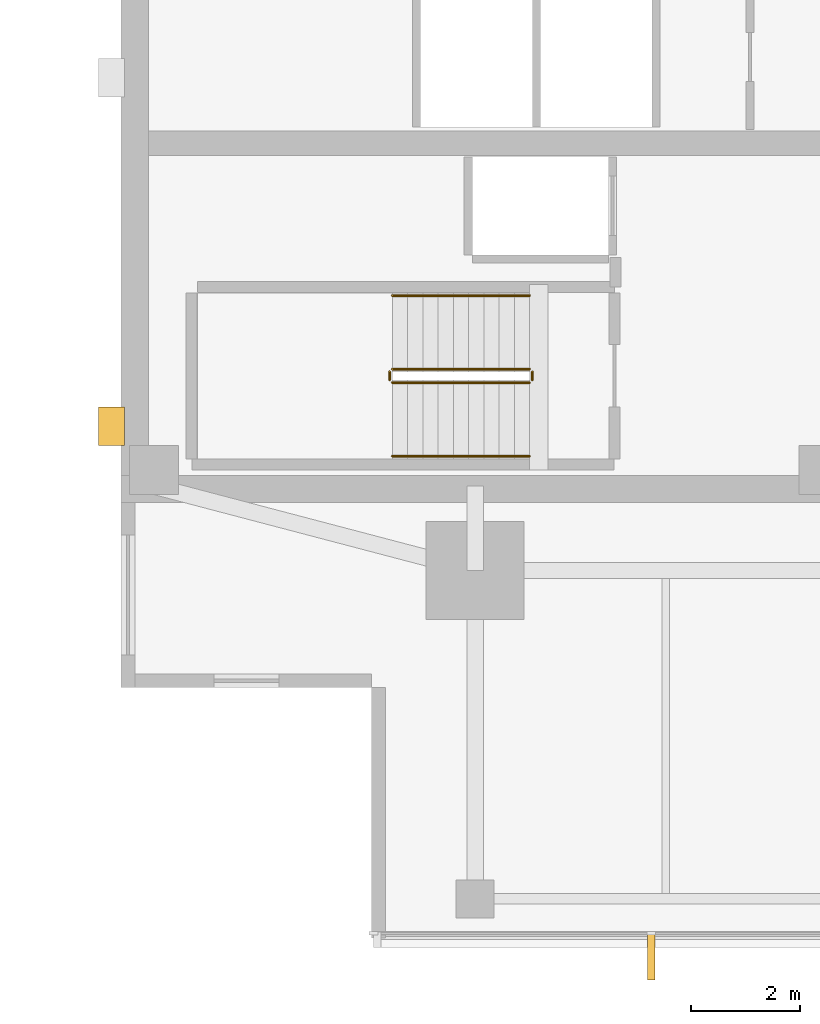
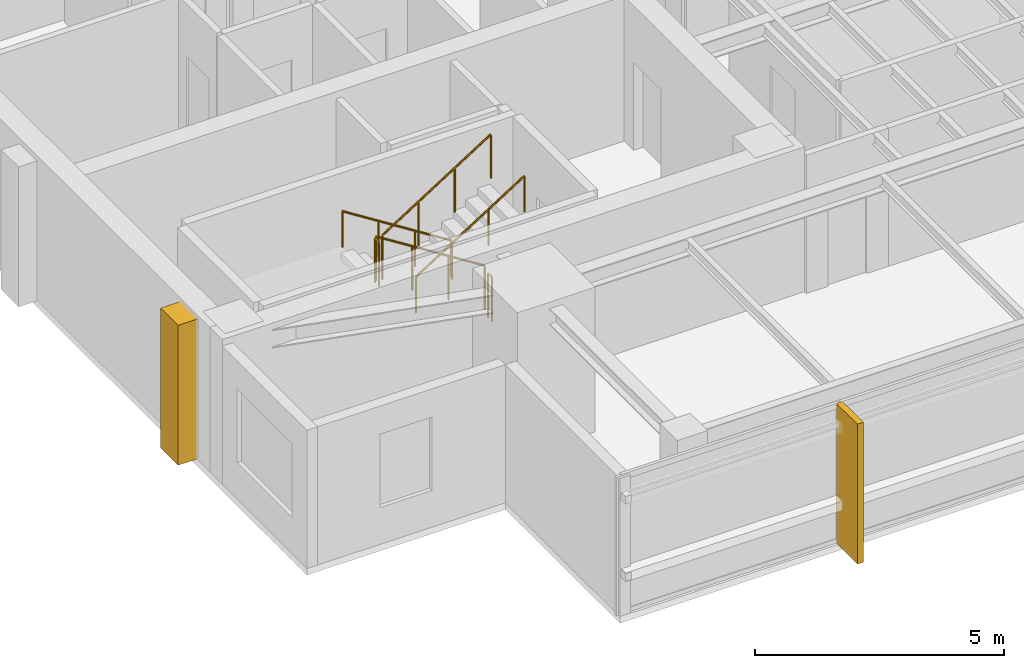
# One storey, part 11 of 14: 6 railings, 2 coverings.
"""IFC4 building model written with IfcOpenShell, lengths in metres."""

import ifcopenshell
import ifcopenshell.guid

model = None  # the IFC model being written
_history = None  # IfcOwnerHistory: only IFC2X3 demands one
_inside = {}  # id of a spatial element -> (the spatial element, [elements in it])
_under = {}  # id of a project, library or spatial element -> (it, [spatial elements below it])
_declared = {}  # id of a project -> (the project, [libraries it declares])
_typed = {}  # id of a type object -> (the type object, [elements of that type])
_made_of = {}  # id of a material, layer set ... -> (it, [elements and type objects made of it])


def new_model(schema):
    """Start an empty IFC model of exactly this schema.

    Asked for "IFC4X3", IfcOpenShell would pick the latest addendum, in which some entities
    have other attributes; the version numbers below select the first issue.
    IFC2X3 requires an IfcOwnerHistory on every rooted entity: one is made here for all.
    """
    global model, _history
    if schema == "IFC4X3":
        model = ifcopenshell.file(schema_version=(4, 3, 0, 0))
    else:
        model = ifcopenshell.file(schema=schema)
    _inside.clear()
    _under.clear()
    _declared.clear()
    _typed.clear()
    _made_of.clear()
    _history = None
    if model.schema == "IFC2X3":
        org = make("IfcOrganization", Name="unknown")
        user = make(
            "IfcPersonAndOrganization",
            ThePerson=make("IfcPerson", FamilyName="unknown"),
            TheOrganization=org,
        )
        app = make(
            "IfcApplication",
            ApplicationDeveloper=org,
            Version="unknown",
            ApplicationFullName="unknown",
            ApplicationIdentifier="unknown",
        )
        _history = make(
            "IfcOwnerHistory",
            OwningUser=user,
            OwningApplication=app,
            ChangeAction="ADDED",
            CreationDate=0,
        )
    return model


def make(cls, **values):
    """One entity of the class cls with the attributes given. An attribute that is None is left unset."""
    return model.create_entity(
        cls, **{name: value for name, value in values.items() if value is not None}
    )


def rooted(cls, **values):
    """An entity with a GlobalId (a new one), such as an element, a storey or a relation."""
    return make(cls, GlobalId=ifcopenshell.guid.new(), OwnerHistory=_history, **values)


def si_unit(unit_type, name, prefix=None):
    """IfcSIUnit, for example si_unit("LENGTHUNIT", "METRE", prefix="MILLI")."""
    return make("IfcSIUnit", UnitType=unit_type, Prefix=prefix, Name=name)


def assignment(units):
    """IfcUnitAssignment: the units of a project."""
    return None if units is None else make("IfcUnitAssignment", Units=units)


def point(xyz):
    """IfcCartesianPoint."""
    return None if xyz is None else make("IfcCartesianPoint", Coordinates=xyz)


def direction(xyz):
    """IfcDirection."""
    return None if xyz is None else make("IfcDirection", DirectionRatios=xyz)


def frame(location, z_axis=None, x_axis=None):
    """IfcAxis2Placement3D, a coordinate frame: its origin and axes. An axis left out is left unset."""
    return make(
        "IfcAxis2Placement3D",
        Location=point(location),
        Axis=direction(z_axis),
        RefDirection=direction(x_axis),
    )


def frame_2d(location, x_axis=None):
    """IfcAxis2Placement2D, a coordinate frame in the plane: its origin and x axis."""
    return make(
        "IfcAxis2Placement2D", Location=point(location), RefDirection=direction(x_axis)
    )


def origin():
    """The frame at (0, 0, 0) with its axes left unset."""
    return frame((0.0, 0.0, 0.0))


def origin_2d():
    """The frame at (0, 0) in the plane with its x axis left unset."""
    return frame_2d((0.0, 0.0))


def place(relative_to, where):
    """IfcLocalPlacement: puts the frame where relative to a parent placement (None: the world)."""
    return make(
        "IfcLocalPlacement", PlacementRelTo=relative_to, RelativePlacement=where
    )


def context(
    kind, dimensions, precision=None, world=None, true_north=None, identifier=None
):
    """IfcGeometricRepresentationContext, for example the 3D "Model" context."""
    return make(
        "IfcGeometricRepresentationContext",
        ContextIdentifier=identifier,
        ContextType=kind,
        CoordinateSpaceDimension=dimensions,
        Precision=precision,
        WorldCoordinateSystem=world,
        TrueNorth=true_north,
    )


def subcontext(parent, identifier, kind, view, scale=None):
    """IfcGeometricRepresentationSubContext, for example "Body" below "Model"."""
    return make(
        "IfcGeometricRepresentationSubContext",
        ContextIdentifier=identifier,
        ContextType=kind,
        ParentContext=parent,
        TargetScale=scale,
        TargetView=view,
    )


def project(units=None, contexts=None):
    """IfcProject with its units and contexts."""
    return rooted(
        "IfcProject",
        Name="project",
        RepresentationContexts=contexts,
        UnitsInContext=assignment(units),
    )


def spatial(cls, under=None, at=None, **own):
    """A site, building, storey or space (cls), placed at a placement, below another one or the project."""
    s = rooted(cls, ObjectPlacement=at, **own)
    if under is not None:
        _under.setdefault(under.id(), (under, []))[1].append(s)
    return s


def polyline(points):
    """IfcPolyline through the points."""
    return make("IfcPolyline", Points=[point(p) for p in points])


def profile(cls, at=None, kind="AREA", **sizes):
    """A parametric profile (cls). Its sizes go by their IFC names, for example OverallWidth=200.0."""
    return make(cls, ProfileType=kind, Position=at, **sizes)


def circle(**sizes):
    """IfcCircleProfileDef."""
    return profile("IfcCircleProfileDef", **sizes)


def outline(outer, holes=None, kind="AREA"):
    """IfcArbitraryClosedProfileDef: a profile drawn as a closed curve; with holes, ...WithVoids."""
    if holes is None:
        return make("IfcArbitraryClosedProfileDef", ProfileType=kind, OuterCurve=outer)
    return make(
        "IfcArbitraryProfileDefWithVoids",
        ProfileType=kind,
        OuterCurve=outer,
        InnerCurves=holes,
    )


def extrude(swept, where, along, depth):
    """IfcExtrudedAreaSolid: the profile swept, set in the frame where, extruded along a direction by depth."""
    return make(
        "IfcExtrudedAreaSolid",
        SweptArea=swept,
        Position=where,
        ExtrudedDirection=direction(along),
        Depth=depth,
    )


def shape(context_of_items, identifier, shape_type, items):
    """IfcShapeRepresentation: the items that make up one representation, for example the "Body"."""
    return make(
        "IfcShapeRepresentation",
        ContextOfItems=context_of_items,
        RepresentationIdentifier=identifier,
        RepresentationType=shape_type,
        Items=items,
    )


def material(Name=None, Category=None):
    """IfcMaterial."""
    return make("IfcMaterial", Name=Name, Category=Category)


def layer(
    of_material, thickness, ventilated=None, Name=None, Category=None, Priority=None
):
    """IfcMaterialLayer: one layer of a wall or slab, of a material (None: an air gap)."""
    return make(
        "IfcMaterialLayer",
        Material=of_material,
        LayerThickness=thickness,
        IsVentilated=ventilated,
        Name=Name,
        Category=Category,
        Priority=Priority,
    )


def layer_set(layers, Name=None):
    """IfcMaterialLayerSet."""
    return make("IfcMaterialLayerSet", MaterialLayers=layers, LayerSetName=Name)


def made_of(thing, what):
    """Note that an element or type object is made of a material, layer set ...; save() writes the relation."""
    if what is not None:
        _made_of.setdefault(what.id(), (what, []))[1].append(thing)
    return thing


def type_object(cls, material=None, **own):
    """A type object (cls), such as IfcWallType, which elements share."""
    return made_of(rooted(cls, **own), material)


def element(
    cls,
    number,
    at=None,
    inside=None,
    cuts=None,
    type_object=None,
    material=None,
    context=None,
    identifier="Body",
    shape_type=None,
    held_by="IfcProductDefinitionShape",
    body=None,
    shapes=None,
    **own,
):
    """One element of the class cls, such as IfcWall. Its Tag is "e" and its number.

    at: its placement. inside: the storey or other place that contains it. cuts: it is an
    opening in that element (IfcRelVoidsElement). A single representation is given by context,
    identifier, shape_type and body (its items); several are given by shapes. held_by: the class
    of the entity that holds the representations. save() writes the other relations.
    """
    e = rooted(cls, Tag="e%d" % number, ObjectPlacement=at, **own)
    if body is not None:
        shapes = [shape(context, identifier, shape_type, body)]
    if shapes is not None:
        e.Representation = make(held_by, Representations=shapes)
    if inside is not None:
        _inside.setdefault(inside.id(), (inside, []))[1].append(e)
    if cuts is not None:
        rooted(
            "IfcRelVoidsElement", RelatingBuildingElement=cuts, RelatedOpeningElement=e
        )
    if type_object is not None:
        _typed.setdefault(type_object.id(), (type_object, []))[1].append(e)
    return made_of(e, material)


def aggregate(whole, parts):
    """IfcRelAggregates: a whole, such as a stair, and the parts it consists of."""
    return rooted("IfcRelAggregates", RelatingObject=whole, RelatedObjects=parts)


def save(model, path):
    """Write the relations noted so far, then the file.

    IfcRelAggregates (storeys below a building ...), IfcRelContainedInSpatialStructure (elements
    in a storey), IfcRelDefinesByType, IfcRelAssociatesMaterial and IfcRelDeclares: one each for
    every whole, place, type object, material and project.
    """
    for whole, parts in _under.values():
        aggregate(whole, parts)
    for where, things in _inside.values():
        rooted(
            "IfcRelContainedInSpatialStructure",
            RelatedElements=things,
            RelatingStructure=where,
        )
    for kind, things in _typed.values():
        rooted("IfcRelDefinesByType", RelatedObjects=things, RelatingType=kind)
    for what, things in _made_of.values():
        rooted("IfcRelAssociatesMaterial", RelatedObjects=things, RelatingMaterial=what)
    for by, libraries in _declared.values():
        rooted("IfcRelDeclares", RelatingContext=by, RelatedDefinitions=libraries)
    model.write(path)


model = new_model("IFC4")

# Units and contexts
model_context = context("Model", 3, precision=1e-05, world=origin(), true_north=direction((0.0, 1.0)))
body_context = subcontext(model_context, "Body", "Model", "MODEL_VIEW")
ifc_project = project(units=[si_unit("LENGTHUNIT", "METRE"), si_unit("AREAUNIT", "SQUARE_METRE"), si_unit("VOLUMEUNIT", "CUBIC_METRE"), si_unit("PLANEANGLEUNIT", "RADIAN"), si_unit("MASSUNIT", "GRAM", prefix="KILO")], contexts=[model_context])

# Site, building, storey
site_placement = place(None, origin())
site = spatial("IfcSite", under=ifc_project, at=site_placement, CompositionType="ELEMENT")
building_placement = place(site_placement, origin())
building = spatial("IfcBuilding", under=site, at=building_placement, Name="Kinhvarn Gate Tower", CompositionType="ELEMENT")
storey_placement = place(building_placement, frame((0.0, 0.0, 274.10009765625)))
storey = spatial("IfcBuildingStorey", under=building, at=storey_placement, Name="L73", CompositionType="ELEMENT", Elevation=274.10009765625)

# Coverings
ifc_material_1 = material(Name="Fired architectural terracotta", Category="masonry")
ifc_layer_1 = layer(ifc_material_1, 0.139892578125)
ifc_layer_set_1 = layer_set([ifc_layer_1], Name="Fired architectural terracotta")
covering_type_1 = type_object("IfcCoveringType", Name="COV-FIN-850", PredefinedType="CLADDING", material=ifc_layer_set_1)
covering_1_placement = place(storey_placement, frame((0.0, 0.0, -0.02001953125)))
element("IfcCovering", 1, at=covering_1_placement, inside=storey, type_object=covering_type_1, Name="Vertical Terracotta Expressive Fin TFN-850 (L73)", PredefinedType="CLADDING", context=body_context, shape_type="SweptSolid", body=[
    extrude(outline(polyline([(14.163330078125, 6.080078125), (14.30322265625, 6.080078125), (14.30322265625, 5.22998046875), (14.163330078125, 5.22998046875), (14.163330078125, 6.080078125)])), origin(), (0.0, 0.0, 1.0), 3.429931640625),
])
ifc_material_2 = material(Name="Precast white architectural concrete C40/50", Category="concrete")
ifc_layer_2 = layer(ifc_material_2, 0.47998046875)
ifc_layer_set_2 = layer_set([ifc_layer_2], Name="Precast white architectural concrete C40/50")
covering_type_2 = type_object("IfcCoveringType", Name="COV-RIB-450", PredefinedType="CLADDING", material=ifc_layer_set_2)
covering_2_placement = place(storey_placement, frame((0.0, 0.0, -0.02001953125)))
element("IfcCovering", 2, at=covering_2_placement, inside=storey, type_object=covering_type_2, Name="West Core Sculptural Concrete Relief Rib CRB-450 (L73)", PredefinedType="CLADDING", context=body_context, shape_type="SweptSolid", body=[
    extrude(outline(polyline([(4.080078125, 15.050048828125), (4.56005859375, 15.050048828125), (4.56005859375, 15.75), (4.080078125, 15.75), (4.080078125, 15.050048828125)])), origin(), (0.0, 0.0, 1.0), 3.429931640625),
])

# Railings
ifc_material_3 = material(Name="Steel S355", Category="steel")
railing_type_1 = type_object("IfcRailingType", Name="RL-ST-GRD", PredefinedType="BALUSTRADE", material=ifc_material_3)
railing_1_placement = place(storey_placement, frame((12.0, 16.449951171875, 0.177490234375)))
element("IfcRailing", 3, at=railing_1_placement, inside=storey, type_object=railing_type_1, Name="L73 ST1 stair guard 1", PredefinedType="BALUSTRADE", context=body_context, shape_type="SweptSolid", body=[
    extrude(circle(Radius=0.02392578125, at=origin_2d()), frame((0.0, 0.0, 1.076171875), z_axis=(-0.84460694969, 0.0, 0.535386869969), x_axis=(0.0, -1.0, 0.0)), (0.0, 0.0, 1.0), 2.983642578125),
    extrude(circle(Radius=0.02099609375, at=origin_2d()), origin(), (0.0, 0.0, 1.0), 1.052001953125),
    extrude(circle(Radius=0.02099609375, at=origin_2d()), frame((-0.840087890625, 0.0, 0.532470703125)), (0.0, 0.0, 1.0), 1.052001953125),
    extrude(circle(Radius=0.02099609375, at=origin_2d()), frame((-1.679931640625, 0.0, 1.06494140625)), (0.0, 0.0, 1.0), 1.052001953125),
    extrude(circle(Radius=0.02099609375, at=origin_2d()), frame((-2.52001953125, 0.0, 1.597412109375)), (0.0, 0.0, 1.0), 1.052001953125),
])
railing_2_placement = place(storey_placement, frame((9.429931640625, 16.39990234375, 1.77490234375)))
element("IfcRailing", 4, at=railing_2_placement, inside=storey, type_object=railing_type_1, Name="L73 ST1 stair guard 2", PredefinedType="BALUSTRADE", context=body_context, shape_type="SweptSolid", body=[
    extrude(circle(Radius=0.02392578125, at=origin_2d()), frame((0.0, 0.0, 1.076171875), z_axis=(0.0, -1.0, 0.0), x_axis=(1.0, 0.0, 0.0)), (0.0, 0.0, 1.0), 0.14990234375),
    extrude(circle(Radius=0.02099609375, at=origin_2d()), origin(), (0.0, 0.0, 1.0), 1.052001953125),
    extrude(circle(Radius=0.02099609375, at=origin_2d()), frame((0.0, -0.14990234375, 0.0)), (0.0, 0.0, 1.0), 1.052001953125),
])
railing_3_placement = place(storey_placement, frame((9.47998046875, 16.199951171875, 1.952392578125)))
element("IfcRailing", 5, at=railing_3_placement, inside=storey, type_object=railing_type_1, Name="L73 ST1 stair guard 3", PredefinedType="BALUSTRADE", context=body_context, shape_type="SweptSolid", body=[
    extrude(circle(Radius=0.02392578125, at=origin_2d()), frame((0.0, 0.0, 1.076171875), z_axis=(0.84460694969, 0.0, 0.535386869969), x_axis=(0.0, 1.0, 0.0)), (0.0, 0.0, 1.0), 2.983642578125),
    extrude(circle(Radius=0.02099609375, at=origin_2d()), origin(), (0.0, 0.0, 1.0), 1.052001953125),
    extrude(circle(Radius=0.02099609375, at=origin_2d()), frame((0.840087890625, 0.0, 0.532470703125)), (0.0, 0.0, 1.0), 1.052001953125),
    extrude(circle(Radius=0.02099609375, at=origin_2d()), frame((1.679931640625, 0.0, 1.06494140625)), (0.0, 0.0, 1.0), 1.052001953125),
    extrude(circle(Radius=0.02099609375, at=origin_2d()), frame((2.52001953125, 0.0, 1.597412109375)), (0.0, 0.0, 1.0), 1.052001953125),
])
railing_4_placement = place(storey_placement, frame((12.050048828125, 16.39990234375, 0.0)))
element("IfcRailing", 6, at=railing_4_placement, inside=storey, type_object=railing_type_1, Name="L73 ST1 stair guard 4", PredefinedType="BALUSTRADE", context=body_context, shape_type="SweptSolid", body=[
    extrude(circle(Radius=0.02392578125, at=origin_2d()), frame((0.0, 0.0, 1.076171875), z_axis=(0.0, -1.0, 0.0), x_axis=(1.0, 0.0, 0.0)), (0.0, 0.0, 1.0), 0.14990234375),
    extrude(circle(Radius=0.02099609375, at=origin_2d()), origin(), (0.0, 0.0, 1.0), 1.052001953125),
    extrude(circle(Radius=0.02099609375, at=origin_2d()), frame((0.0, -0.14990234375, 0.0)), (0.0, 0.0, 1.0), 1.052001953125),
])
railing_type_2 = type_object("IfcRailingType", Name="RL-ST-HND", PredefinedType="HANDRAIL", material=ifc_material_3)
railing_5_placement = place(storey_placement, frame((12.0, 17.800048828125, 0.177490234375)))
element("IfcRailing", 7, at=railing_5_placement, inside=storey, type_object=railing_type_2, Name="L73 ST1 stair handrail 1", PredefinedType="HANDRAIL", context=body_context, shape_type="SweptSolid", body=[
    extrude(circle(Radius=0.02392578125, at=origin_2d()), frame((0.0, 0.0, 0.8759765625), z_axis=(-0.84460694969, 0.0, 0.535386869969), x_axis=(0.0, -1.0, 0.0)), (0.0, 0.0, 1.0), 2.983642578125),
    extrude(circle(Radius=0.02099609375, at=origin_2d()), origin(), (0.0, 0.0, 1.0), 0.851806640625),
    extrude(circle(Radius=0.02099609375, at=origin_2d()), frame((-0.840087890625, 0.0, 0.532470703125)), (0.0, 0.0, 1.0), 0.851806640625),
    extrude(circle(Radius=0.02099609375, at=origin_2d()), frame((-1.679931640625, 0.0, 1.06494140625)), (0.0, 0.0, 1.0), 0.851806640625),
    extrude(circle(Radius=0.02099609375, at=origin_2d()), frame((-2.52001953125, 0.0, 1.597412109375)), (0.0, 0.0, 1.0), 0.851806640625),
])
railing_6_placement = place(storey_placement, frame((9.47998046875, 14.85009765625, 1.952392578125)))
element("IfcRailing", 8, at=railing_6_placement, inside=storey, type_object=railing_type_2, Name="L73 ST1 stair handrail 2", PredefinedType="HANDRAIL", context=body_context, shape_type="SweptSolid", body=[
    extrude(circle(Radius=0.02392578125, at=origin_2d()), frame((0.0, 0.0, 0.8759765625), z_axis=(0.84460694969, 0.0, 0.535386869969), x_axis=(0.0, 1.0, 0.0)), (0.0, 0.0, 1.0), 2.983642578125),
    extrude(circle(Radius=0.02099609375, at=origin_2d()), origin(), (0.0, 0.0, 1.0), 0.851806640625),
    extrude(circle(Radius=0.02099609375, at=origin_2d()), frame((0.840087890625, 0.0, 0.532470703125)), (0.0, 0.0, 1.0), 0.851806640625),
    extrude(circle(Radius=0.02099609375, at=origin_2d()), frame((1.679931640625, 0.0, 1.06494140625)), (0.0, 0.0, 1.0), 0.851806640625),
    extrude(circle(Radius=0.02099609375, at=origin_2d()), frame((2.52001953125, 0.0, 1.597412109375)), (0.0, 0.0, 1.0), 0.851806640625),
])

save(model, "model.ifc")
